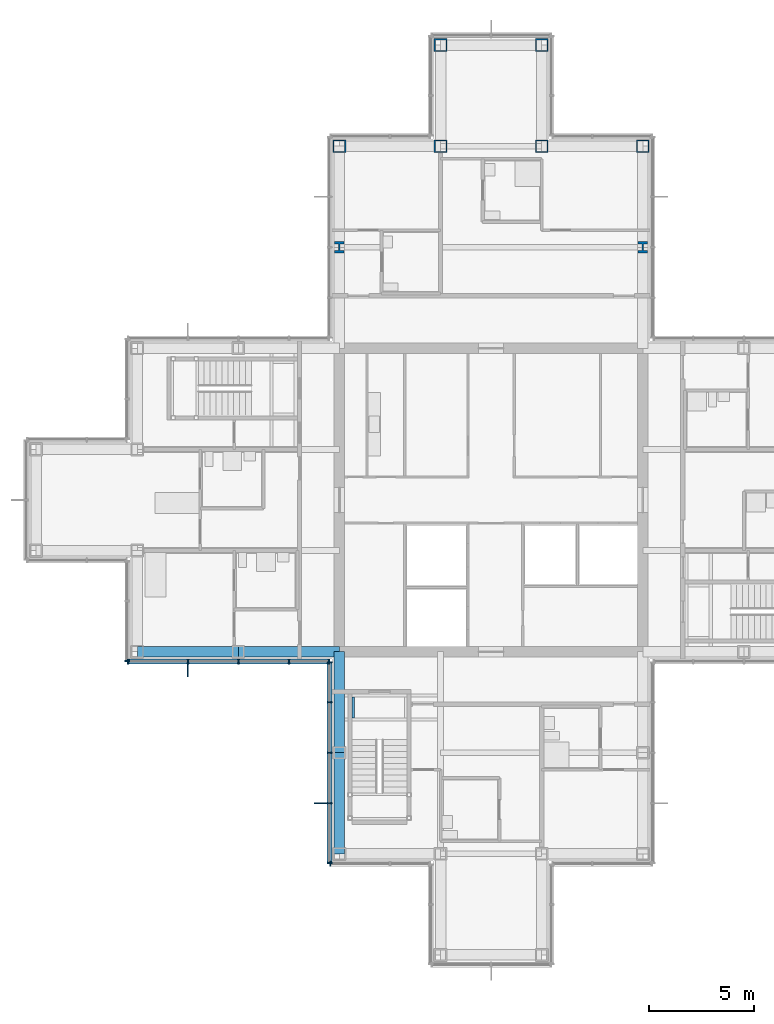
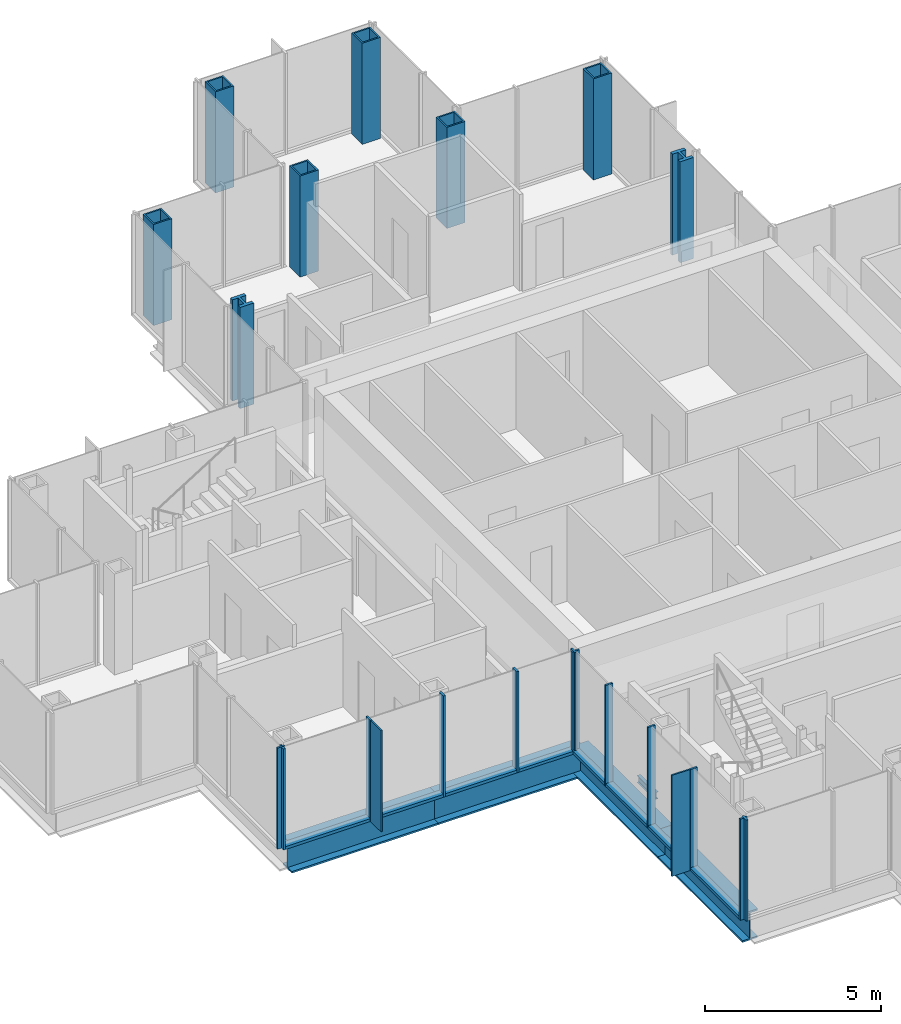
# One storey, part 5 of 17: 22 members, 8 columns, 5 beams, 4 elements without a shape of their own.
"""IFC4 building model written with IfcOpenShell, lengths in metres."""

from ifc_helpers import new_model, si_unit, direction, frame, origin, origin_2d, place, context, subcontext, project, spatial, rectangle, hollow_rectangle, i_section, extrude, material, material_profile, profile_set, type_object, element, aggregate, save


model = new_model("IFC4")

# Units and contexts
model_context = context("Model", 3, precision=1e-05, world=origin(), true_north=direction((0.0, 1.0)))
body_context = subcontext(model_context, "Body", "Model", "MODEL_VIEW")
ifc_project = project(units=[si_unit("LENGTHUNIT", "METRE"), si_unit("AREAUNIT", "SQUARE_METRE"), si_unit("VOLUMEUNIT", "CUBIC_METRE"), si_unit("PLANEANGLEUNIT", "RADIAN"), si_unit("MASSUNIT", "GRAM", prefix="KILO")], contexts=[model_context])

# Site, building, storey
site_placement = place(None, origin())
site = spatial("IfcSite", under=ifc_project, at=site_placement, CompositionType="ELEMENT")
building_placement = place(site_placement, origin())
building = spatial("IfcBuilding", under=site, at=building_placement, Name="Kvirike Care Tower", CompositionType="ELEMENT")
storey_placement = place(building_placement, frame((0.0, 0.0, 165.5)))
storey = spatial("IfcBuildingStorey", under=building, at=storey_placement, Name="L45", CompositionType="ELEMENT", Elevation=165.5)

# Columns
ifc_material_1 = material(Name="Steel S460", Category="steel")
ifc_material_profile_1 = material_profile(ifc_material_1, hollow_rectangle(XDim=0.60009765625, YDim=0.60009765625, WallThickness=0.050048828125, at=origin_2d()), Name="BX 600x600x50")
ifc_profile_set_1 = profile_set([ifc_material_profile_1], Name="Steel S460")
column_type_1 = type_object("IfcColumnType", Name="COLUMN BX 600x600x50", PredefinedType="COLUMN", material=ifc_profile_set_1)
for number, where, z_axis, x_axis, name in (
    (1, (14.39990234375, 52.800048828125, 0.0), (0.0, 0.0, 1.0), (0.0, 1.0, 0.0), "Column M6 L45"),
    (2, (19.199951171875, 52.800048828125, 0.0), (0.0, 0.0, 1.0), (0.0, 1.0, 0.0), "Column M7 L45"),
    (3, (19.199951171875, 57.60009765625, 0.0), (0.0, 0.0, 1.0), (0.0, 1.0, 0.0), "Column N7 L45"),
    (4, (24.0, 52.800048828125, 0.0), (0.0, 0.0, 1.0), (0.0, 1.0, 0.0), "Column M8 L45"),
    (5, (24.0, 57.60009765625, 0.0), (0.0, 0.0, 1.0), (0.0, 1.0, 0.0), "Column N8 L45"),
    (6, (28.800048828125, 52.800048828125, 0.0), (0.0, 0.0, 1.0), (0.0, 1.0, 0.0), "Column M9 L45"),
):
    element("IfcColumn", number, at=place(storey_placement, frame(where, z_axis=z_axis, x_axis=x_axis)), inside=storey, type_object=column_type_1, Name=name, PredefinedType="COLUMN", context=body_context, shape_type="SweptSolid", body=[
        extrude(hollow_rectangle(XDim=0.60009765625, YDim=0.60009765625, WallThickness=0.050048828125, at=origin_2d()), origin(), (0.0, 0.0, 1.0), 3.5),
    ])
ifc_material_2 = material(Name="Steel S460", Category="steel")
ifc_material_profile_2 = material_profile(ifc_material_2, i_section(OverallWidth=0.447998046875, OverallDepth=0.550048828125, WebThickness=0.072021484375, FlangeThickness=0.114990234375, FilletRadius=0.014892578125, at=origin_2d()), Name="HD 400x990")
ifc_profile_set_2 = profile_set([ifc_material_profile_2], Name="Steel S460")
column_type_2 = type_object("IfcColumnType", Name="COLUMN HD 400x990", PredefinedType="COLUMN", material=ifc_profile_set_2)
for number, where, z_axis, x_axis, name in (
    (7, (14.39990234375, 48.0, 0.0), (0.0, 0.0, 1.0), (1.0, 0.0, 0.0), "Column L6 L45"),
    (8, (28.800048828125, 48.0, 0.0), (0.0, 0.0, 1.0), (1.0, 0.0, 0.0), "Column L9 L45"),
):
    element("IfcColumn", number, at=place(storey_placement, frame(where, z_axis=z_axis, x_axis=x_axis)), inside=storey, type_object=column_type_2, Name=name, PredefinedType="COLUMN", context=body_context, shape_type="SweptSolid", body=[
        extrude(i_section(OverallWidth=0.447998046875, OverallDepth=0.550048828125, WebThickness=0.072021484375, FlangeThickness=0.114990234375, FilletRadius=0.014892578125, at=origin_2d()), origin(), (0.0, 0.0, 1.0), 3.5),
    ])

# Curtain wall, member
ifc_material_3 = material(Name="Anodised aluminium stick system", Category="aluminium")
curtain_wall_type = type_object("IfcCurtainWallType", Name="CW-C STICK CURTAIN WALL", PredefinedType="NOTDEFINED", material=ifc_material_3)
curtain_wall_1_placement = place(storey_placement, origin())
curtain_wall_1 = element("IfcCurtainWall", 9, at=curtain_wall_1_placement, inside=storey, type_object=curtain_wall_type, Name="Curtain wall L45 face 21", PredefinedType="NOTDEFINED")
ifc_material_4 = material(Name="Bronze anodised aluminium fin", Category="aluminium")
ifc_material_profile_3 = material_profile(ifc_material_4, rectangle(XDim=0.050048828125, YDim=0.60009765625, at=origin_2d()), Name="BRONZE FIN 600")
ifc_profile_set_3 = profile_set([ifc_material_profile_3], Name="Bronze anodised aluminium fin")
member_type_1 = type_object("IfcMemberType", Name="BRONZE FIN 600", PredefinedType="USERDEFINED", material=ifc_profile_set_3)
member_1_placement = place(storey_placement, frame((7.199951171875, 27.909912109375, 0.0), z_axis=(0.0, 0.0, 1.0), x_axis=(1.0, 0.0, 0.0)))
member_1 = element("IfcMember", 10, at=member_1_placement, type_object=member_type_1, Name="Bronze fin L45 face 21.2", ObjectType="FIN", PredefinedType="USERDEFINED", context=body_context, shape_type="SweptSolid", body=[
    extrude(rectangle(XDim=0.050048828125, YDim=0.60009765625, at=origin_2d()), origin(), (0.0, 0.0, 1.0), 3.5),
])

curtain_wall_2_placement = place(storey_placement, origin())
curtain_wall_2 = element("IfcCurtainWall", 11, at=curtain_wall_2_placement, inside=storey, type_object=curtain_wall_type, Name="Curtain wall L45 face 22", PredefinedType="NOTDEFINED")
member_2_placement = place(storey_placement, frame((13.510009765625, 21.60009765625, 0.0), z_axis=(0.0, 0.0, 1.0), x_axis=(0.0, -1.0, 0.0)))
member_2 = element("IfcMember", 12, at=member_2_placement, type_object=member_type_1, Name="Bronze fin L45 face 22.4", ObjectType="FIN", PredefinedType="USERDEFINED", context=body_context, shape_type="SweptSolid", body=[
    extrude(rectangle(XDim=0.050048828125, YDim=0.60009765625, at=origin_2d()), origin(), (0.0, 0.0, 1.0), 3.5),
])

curtain_wall_3_placement = place(storey_placement, origin())
curtain_wall_3 = element("IfcCurtainWall", 13, at=curtain_wall_3_placement, inside=storey, type_object=curtain_wall_type, Name="Curtain wall L45 face 20", PredefinedType="NOTDEFINED")
ifc_material_5 = material(Name="Bronze anodised aluminium mullion", Category="aluminium")
ifc_material_profile_4 = material_profile(ifc_material_5, rectangle(XDim=0.06494140625, YDim=0.239990234375, at=origin_2d()), Name="CW-C MULLION 65x240")
ifc_profile_set_4 = profile_set([ifc_material_profile_4], Name="Bronze anodised aluminium mullion")
member_type_2 = type_object("IfcMemberType", Name="CW-C MULLION 65x240", PredefinedType="MULLION", material=ifc_profile_set_4)
member_3_placement = place(storey_placement, frame((4.330078125, 28.362548828125, 0.0), z_axis=(0.0, 0.0, 1.0), x_axis=(0.0, -1.0, 0.0)))
member_3 = element("IfcMember", 14, at=member_3_placement, type_object=member_type_2, Name="CW-C mullion L45 face 20.3", PredefinedType="MULLION", context=body_context, shape_type="SweptSolid", body=[
    extrude(rectangle(XDim=0.06494140625, YDim=0.239990234375, at=origin_2d()), origin(), (0.0, 0.0, 1.0), 3.5),
])
aggregate(curtain_wall_3, [member_3])

# Member
member_4_placement = place(storey_placement, frame((4.362548828125, 28.330078125, 0.0), z_axis=(0.0, 0.0, 1.0), x_axis=(1.0, 0.0, 0.0)))
member_4 = element("IfcMember", 15, at=member_4_placement, type_object=member_type_2, Name="CW-C mullion L45 face 21.1", PredefinedType="MULLION", context=body_context, shape_type="SweptSolid", body=[
    extrude(rectangle(XDim=0.06494140625, YDim=0.239990234375, at=origin_2d()), origin(), (0.0, 0.0, 1.0), 3.5),
])

member_5_placement = place(storey_placement, frame((7.199951171875, 28.330078125, 0.0), z_axis=(0.0, 0.0, 1.0), x_axis=(1.0, 0.0, 0.0)))
member_5 = element("IfcMember", 16, at=member_5_placement, type_object=member_type_2, Name="CW-C mullion L45 face 21.2", PredefinedType="MULLION", context=body_context, shape_type="SweptSolid", body=[
    extrude(rectangle(XDim=0.06494140625, YDim=0.239990234375, at=origin_2d()), origin(), (0.0, 0.0, 1.0), 3.5),
])

member_6_placement = place(storey_placement, frame((9.60009765625, 28.330078125, 0.0), z_axis=(0.0, 0.0, 1.0), x_axis=(1.0, 0.0, 0.0)))
member_6 = element("IfcMember", 17, at=member_6_placement, type_object=member_type_2, Name="CW-C mullion L45 face 21.3", PredefinedType="MULLION", context=body_context, shape_type="SweptSolid", body=[
    extrude(rectangle(XDim=0.06494140625, YDim=0.239990234375, at=origin_2d()), origin(), (0.0, 0.0, 1.0), 3.5),
])

member_7_placement = place(storey_placement, frame((12.0, 28.330078125, 0.0), z_axis=(0.0, 0.0, 1.0), x_axis=(1.0, 0.0, 0.0)))
member_7 = element("IfcMember", 18, at=member_7_placement, type_object=member_type_2, Name="CW-C mullion L45 face 21.4", PredefinedType="MULLION", context=body_context, shape_type="SweptSolid", body=[
    extrude(rectangle(XDim=0.06494140625, YDim=0.239990234375, at=origin_2d()), origin(), (0.0, 0.0, 1.0), 3.5),
])

member_8_placement = place(storey_placement, frame((13.8974609375, 28.330078125, 0.0), z_axis=(0.0, 0.0, 1.0), x_axis=(1.0, 0.0, 0.0)))
member_8 = element("IfcMember", 19, at=member_8_placement, type_object=member_type_2, Name="CW-C mullion L45 face 21.5", PredefinedType="MULLION", context=body_context, shape_type="SweptSolid", body=[
    extrude(rectangle(XDim=0.06494140625, YDim=0.239990234375, at=origin_2d()), origin(), (0.0, 0.0, 1.0), 3.5),
])

member_9_placement = place(storey_placement, frame((13.929931640625, 28.297607421875, 0.0), z_axis=(0.0, 0.0, 1.0), x_axis=(0.0, -1.0, 0.0)))
member_9 = element("IfcMember", 20, at=member_9_placement, type_object=member_type_2, Name="CW-C mullion L45 face 22.1", PredefinedType="MULLION", context=body_context, shape_type="SweptSolid", body=[
    extrude(rectangle(XDim=0.06494140625, YDim=0.239990234375, at=origin_2d()), origin(), (0.0, 0.0, 1.0), 3.5),
])

member_10_placement = place(storey_placement, frame((13.929931640625, 26.39990234375, 0.0), z_axis=(0.0, 0.0, 1.0), x_axis=(0.0, -1.0, 0.0)))
member_10 = element("IfcMember", 21, at=member_10_placement, type_object=member_type_2, Name="CW-C mullion L45 face 22.2", PredefinedType="MULLION", context=body_context, shape_type="SweptSolid", body=[
    extrude(rectangle(XDim=0.06494140625, YDim=0.239990234375, at=origin_2d()), origin(), (0.0, 0.0, 1.0), 3.5),
])

member_11_placement = place(storey_placement, frame((13.929931640625, 24.0, 0.0), z_axis=(0.0, 0.0, 1.0), x_axis=(0.0, -1.0, 0.0)))
member_11 = element("IfcMember", 22, at=member_11_placement, type_object=member_type_2, Name="CW-C mullion L45 face 22.3", PredefinedType="MULLION", context=body_context, shape_type="SweptSolid", body=[
    extrude(rectangle(XDim=0.06494140625, YDim=0.239990234375, at=origin_2d()), origin(), (0.0, 0.0, 1.0), 3.5),
])

member_12_placement = place(storey_placement, frame((13.929931640625, 21.60009765625, 0.0), z_axis=(0.0, 0.0, 1.0), x_axis=(0.0, -1.0, 0.0)))
member_12 = element("IfcMember", 23, at=member_12_placement, type_object=member_type_2, Name="CW-C mullion L45 face 22.4", PredefinedType="MULLION", context=body_context, shape_type="SweptSolid", body=[
    extrude(rectangle(XDim=0.06494140625, YDim=0.239990234375, at=origin_2d()), origin(), (0.0, 0.0, 1.0), 3.5),
])

member_13_placement = place(storey_placement, frame((13.929931640625, 18.762451171875, 0.0), z_axis=(0.0, 0.0, 1.0), x_axis=(0.0, -1.0, 0.0)))
member_13 = element("IfcMember", 24, at=member_13_placement, type_object=member_type_2, Name="CW-C mullion L45 face 22.5", PredefinedType="MULLION", context=body_context, shape_type="SweptSolid", body=[
    extrude(rectangle(XDim=0.06494140625, YDim=0.239990234375, at=origin_2d()), origin(), (0.0, 0.0, 1.0), 3.5),
])

# Curtain wall, member
curtain_wall_4_placement = place(storey_placement, origin())
curtain_wall_4 = element("IfcCurtainWall", 25, at=curtain_wall_4_placement, inside=storey, type_object=curtain_wall_type, Name="Curtain wall L45 face 23", PredefinedType="NOTDEFINED")
member_14_placement = place(storey_placement, frame((13.96240234375, 18.72998046875, 0.0), z_axis=(0.0, 0.0, 1.0), x_axis=(1.0, 0.0, 0.0)))
member_14 = element("IfcMember", 26, at=member_14_placement, type_object=member_type_2, Name="CW-C mullion L45 face 23.1", PredefinedType="MULLION", context=body_context, shape_type="SweptSolid", body=[
    extrude(rectangle(XDim=0.06494140625, YDim=0.239990234375, at=origin_2d()), origin(), (0.0, 0.0, 1.0), 3.5),
])
aggregate(curtain_wall_4, [member_14])

# Member
ifc_material_6 = material(Name="Bronze anodised aluminium transom", Category="aluminium")
ifc_material_profile_5 = material_profile(ifc_material_6, rectangle(XDim=0.239990234375, YDim=0.10009765625, at=origin_2d()), Name="CW-C TRANSOM 240x100")
ifc_profile_set_5 = profile_set([ifc_material_profile_5], Name="Bronze anodised aluminium transom")
member_type_3 = type_object("IfcMemberType", Name="CW-C TRANSOM 240x100", PredefinedType="USERDEFINED", material=ifc_profile_set_5)
member_15_placement = place(storey_placement, frame((4.39501953125, 28.330078125, 0.050048828125), z_axis=(1.0, 0.0, 0.0), x_axis=(0.0, 1.0, 0.0)))
member_15 = element("IfcMember", 27, at=member_15_placement, type_object=member_type_3, Name="CW-C sill transom L45 face 21.1", ObjectType="TRANSOM", PredefinedType="USERDEFINED", context=body_context, shape_type="SweptSolid", body=[
    extrude(rectangle(XDim=0.239990234375, YDim=0.10009765625, at=origin_2d()), origin(), (0.0, 0.0, 1.0), 2.7724609375),
])

member_16_placement = place(storey_placement, frame((7.232421875, 28.330078125, 0.050048828125), z_axis=(1.0, 0.0, 0.0), x_axis=(0.0, 1.0, 0.0)))
member_16 = element("IfcMember", 28, at=member_16_placement, type_object=member_type_3, Name="CW-C sill transom L45 face 21.2", ObjectType="TRANSOM", PredefinedType="USERDEFINED", context=body_context, shape_type="SweptSolid", body=[
    extrude(rectangle(XDim=0.239990234375, YDim=0.10009765625, at=origin_2d()), origin(), (0.0, 0.0, 1.0), 2.3349609375),
])

member_17_placement = place(storey_placement, frame((9.632568359375, 28.330078125, 0.050048828125), z_axis=(1.0, 0.0, 0.0), x_axis=(0.0, 1.0, 0.0)))
member_17 = element("IfcMember", 29, at=member_17_placement, type_object=member_type_3, Name="CW-C sill transom L45 face 21.3", ObjectType="TRANSOM", PredefinedType="USERDEFINED", context=body_context, shape_type="SweptSolid", body=[
    extrude(rectangle(XDim=0.239990234375, YDim=0.10009765625, at=origin_2d()), origin(), (0.0, 0.0, 1.0), 2.3349609375),
])

member_18_placement = place(storey_placement, frame((12.032470703125, 28.330078125, 0.050048828125), z_axis=(1.0, 0.0, 0.0), x_axis=(0.0, 1.0, 0.0)))
member_18 = element("IfcMember", 30, at=member_18_placement, type_object=member_type_3, Name="CW-C sill transom L45 face 21.4", ObjectType="TRANSOM", PredefinedType="USERDEFINED", context=body_context, shape_type="SweptSolid", body=[
    extrude(rectangle(XDim=0.239990234375, YDim=0.10009765625, at=origin_2d()), origin(), (0.0, 0.0, 1.0), 1.83251953125),
])

aggregate(curtain_wall_1, [member_4, member_5, member_1, member_6, member_7, member_8, member_15, member_16, member_17, member_18])

member_19_placement = place(storey_placement, frame((13.929931640625, 28.264892578125, 0.050048828125), z_axis=(0.0, -1.0, 0.0), x_axis=(1.0, 0.0, 0.0)))
member_19 = element("IfcMember", 31, at=member_19_placement, type_object=member_type_3, Name="CW-C sill transom L45 face 22.1", ObjectType="TRANSOM", PredefinedType="USERDEFINED", context=body_context, shape_type="SweptSolid", body=[
    extrude(rectangle(XDim=0.239990234375, YDim=0.10009765625, at=origin_2d()), origin(), (0.0, 0.0, 1.0), 1.832275390625),
])

member_20_placement = place(storey_placement, frame((13.929931640625, 26.367431640625, 0.050048828125), z_axis=(0.0, -1.0, 0.0), x_axis=(1.0, 0.0, 0.0)))
member_20 = element("IfcMember", 32, at=member_20_placement, type_object=member_type_3, Name="CW-C sill transom L45 face 22.2", ObjectType="TRANSOM", PredefinedType="USERDEFINED", context=body_context, shape_type="SweptSolid", body=[
    extrude(rectangle(XDim=0.239990234375, YDim=0.10009765625, at=origin_2d()), origin(), (0.0, 0.0, 1.0), 2.3349609375),
])

member_21_placement = place(storey_placement, frame((13.929931640625, 23.967529296875, 0.050048828125), z_axis=(0.0, -1.0, 0.0), x_axis=(1.0, 0.0, 0.0)))
member_21 = element("IfcMember", 33, at=member_21_placement, type_object=member_type_3, Name="CW-C sill transom L45 face 22.3", ObjectType="TRANSOM", PredefinedType="USERDEFINED", context=body_context, shape_type="SweptSolid", body=[
    extrude(rectangle(XDim=0.239990234375, YDim=0.10009765625, at=origin_2d()), origin(), (0.0, 0.0, 1.0), 2.3349609375),
])

member_22_placement = place(storey_placement, frame((13.929931640625, 21.5673828125, 0.050048828125), z_axis=(0.0, -1.0, 0.0), x_axis=(1.0, 0.0, 0.0)))
member_22 = element("IfcMember", 34, at=member_22_placement, type_object=member_type_3, Name="CW-C sill transom L45 face 22.4", ObjectType="TRANSOM", PredefinedType="USERDEFINED", context=body_context, shape_type="SweptSolid", body=[
    extrude(rectangle(XDim=0.239990234375, YDim=0.10009765625, at=origin_2d()), origin(), (0.0, 0.0, 1.0), 2.7724609375),
])

aggregate(curtain_wall_2, [member_9, member_10, member_11, member_12, member_2, member_13, member_19, member_20, member_21, member_22])

# Beams
ifc_material_7 = material(Name="Steel S355", Category="steel")
ifc_material_profile_6 = material_profile(ifc_material_7, i_section(OverallWidth=0.5, OverallDepth=1.0, WebThickness=0.030029296875, FlangeThickness=0.06005859375, at=origin_2d()), Name="PG 1000x500x30x60")
ifc_profile_set_6 = profile_set([ifc_material_profile_6], Name="Steel S355")
beam_type_1 = type_object("IfcBeamType", Name="SPANDREL PG 1000x500x30x60", PredefinedType="SPANDREL", material=ifc_profile_set_6)
beam_1_placement = place(storey_placement, frame((4.800048828125, 28.800048828125, -0.669921875), z_axis=(1.0, 0.0, 0.0), x_axis=(0.0, 1.0, 0.0)))
element("IfcBeam", 35, at=beam_1_placement, inside=storey, type_object=beam_type_1, Name="Spandrel G4-G5 L45", PredefinedType="SPANDREL", context=body_context, shape_type="SweptSolid", body=[
    extrude(i_section(OverallWidth=0.5, OverallDepth=1.0, WebThickness=0.030029296875, FlangeThickness=0.06005859375, at=origin_2d()), origin(), (0.0, 0.0, 1.0), 4.800048828125),
])
beam_2_placement = place(storey_placement, frame((9.60009765625, 28.800048828125, -0.669921875), z_axis=(1.0, 0.0, 0.0), x_axis=(0.0, 1.0, 0.0)))
element("IfcBeam", 36, at=beam_2_placement, inside=storey, type_object=beam_type_1, Name="Spandrel G5-G6 L45", PredefinedType="SPANDREL", context=body_context, shape_type="SweptSolid", body=[
    extrude(i_section(OverallWidth=0.5, OverallDepth=1.0, WebThickness=0.030029296875, FlangeThickness=0.06005859375, at=origin_2d()), origin(), (0.0, 0.0, 1.0), 4.7998046875),
])
for number, where, z_axis, x_axis, name in (
    (37, (14.39990234375, 19.199951171875, -0.669921875), (0.0, 1.0, 0.0), (-1.0, 0.0, 0.0), "Spandrel E6-F6 L45"),
    (38, (14.39990234375, 24.0, -0.669921875), (0.0, 1.0, 0.0), (-1.0, 0.0, 0.0), "Spandrel F6-G6 L45"),
):
    element("IfcBeam", number, at=place(storey_placement, frame(where, z_axis=z_axis, x_axis=x_axis)), inside=storey, type_object=beam_type_1, Name=name, PredefinedType="SPANDREL", context=body_context, shape_type="SweptSolid", body=[
        extrude(i_section(OverallWidth=0.5, OverallDepth=1.0, WebThickness=0.030029296875, FlangeThickness=0.06005859375, at=origin_2d()), origin(), (0.0, 0.0, 1.0), 4.800048828125),
    ])
ifc_material_8 = material(Name="Steel S355", Category="steel")
ifc_material_profile_7 = material_profile(ifc_material_8, i_section(OverallWidth=0.1201171875, OverallDepth=0.239990234375, WebThickness=0.006103515625, FlangeThickness=0.009765625, FilletRadius=0.014892578125, at=origin_2d()), Name="IPE 240")
ifc_profile_set_7 = profile_set([ifc_material_profile_7], Name="Steel S355")
beam_type_2 = type_object("IfcBeamType", Name="STAIR LANDING BEAM IPE 240", PredefinedType="BEAM", material=ifc_profile_set_7)
beam_3_placement = place(storey_placement, frame((15.06005859375, 25.64990234375, -0.320068359375), z_axis=(0.0, 1.0, 0.0), x_axis=(-1.0, 0.0, 0.0)))
element("IfcBeam", 39, at=beam_3_placement, inside=storey, type_object=beam_type_2, Name="Stair 5 landing edge beam 1 L45", PredefinedType="BEAM", context=body_context, shape_type="SweptSolid", body=[
    extrude(i_section(OverallWidth=0.1201171875, OverallDepth=0.239990234375, WebThickness=0.006103515625, FlangeThickness=0.009765625, FilletRadius=0.014892578125, at=origin_2d()), origin(), (0.0, 0.0, 1.0), 1.0),
])

save(model, "model.ifc")
